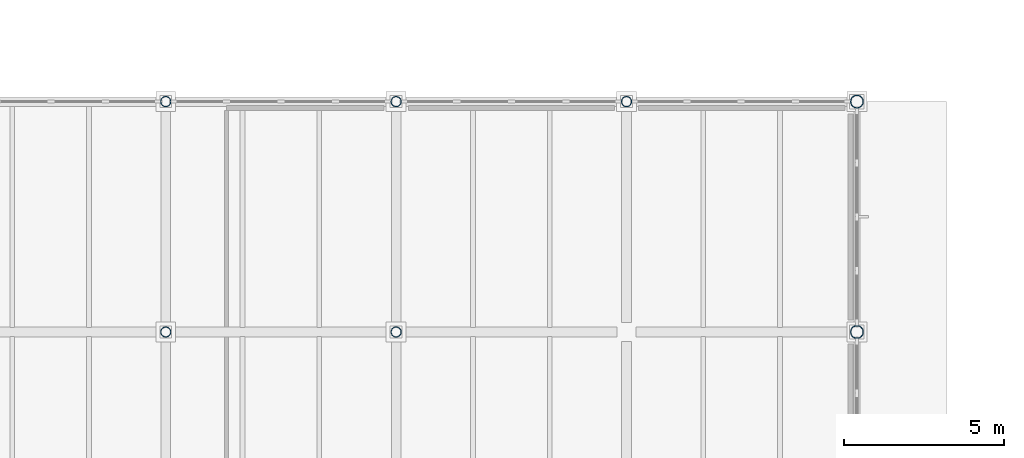
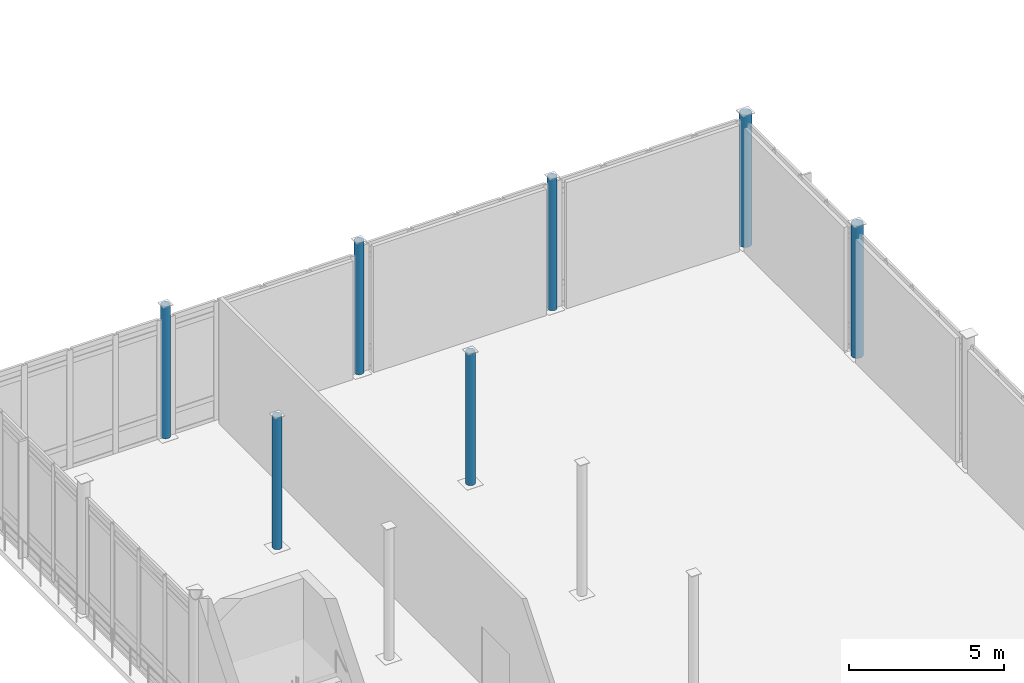
# One storey, part 10 of 89: 7 columns.
"""IFC4 building model written with IfcOpenShell, lengths in metres."""

from ifc_helpers import new_model, si_unit, direction, frame, origin, origin_2d, place, context, subcontext, project, spatial, hollow_circle, extrude, material, material_profile, profile_set, type_object, element, save


model = new_model("IFC4")

# Units and contexts
model_context = context("Model", 3, precision=1e-05, world=origin(), true_north=direction((0.0, 1.0)))
body_context = subcontext(model_context, "Body", "Model", "MODEL_VIEW")
ifc_project = project(units=[si_unit("LENGTHUNIT", "METRE"), si_unit("AREAUNIT", "SQUARE_METRE"), si_unit("VOLUMEUNIT", "CUBIC_METRE"), si_unit("PLANEANGLEUNIT", "RADIAN"), si_unit("MASSUNIT", "GRAM", prefix="KILO")], contexts=[model_context])

# Site, building, storey
site_placement = place(None, origin())
site = spatial("IfcSite", under=ifc_project, at=site_placement, CompositionType="ELEMENT")
building_placement = place(site_placement, origin())
building = spatial("IfcBuilding", under=site, at=building_placement, Name="Zarrinpeak Specialist Clinic", CompositionType="ELEMENT")
storey_placement = place(building_placement, origin())
storey = spatial("IfcBuildingStorey", under=building, at=storey_placement, Name="L00", CompositionType="ELEMENT", Elevation=0.0)

# Columns
ifc_material = material(Name="Steel S355", Category="steel")
ifc_material_profile_1 = material_profile(ifc_material, hollow_circle(Radius=0.161865234375, WallThickness=0.012451171875, at=origin_2d()), Name="CHS 323.9x12.5")
ifc_profile_set_1 = profile_set([ifc_material_profile_1], Name="Steel S355")
column_type_1 = type_object("IfcColumnType", Name="COL-CHS324", PredefinedType="COLUMN", material=ifc_profile_set_1)
for number, where, z_axis, x_axis, name in (
    (1, (100.800048828125, 64.800048828125, 0.0), (0.0, 0.0, 1.0), (1.0, 0.0, 0.0), "L00 Structural Column COL-L00-148"),
    (2, (100.800048828125, 72.0, 0.0), (0.0, 0.0, 1.0), (1.0, 0.0, 0.0), "L00 Structural Column COL-L00-149"),
    (3, (108.0, 64.800048828125, 0.0), (0.0, 0.0, 1.0), (1.0, 0.0, 0.0), "L00 Structural Column COL-L00-155"),
    (4, (108.0, 72.0, 0.0), (0.0, 0.0, 1.0), (1.0, 0.0, 0.0), "L00 Structural Column COL-L00-156"),
    (5, (115.199951171875, 72.0, 0.0), (0.0, 0.0, 1.0), (1.0, 0.0, 0.0), "L00 Structural Column COL-L00-158"),
):
    element("IfcColumn", number, at=place(storey_placement, frame(where, z_axis=z_axis, x_axis=x_axis)), inside=storey, type_object=column_type_1, Name=name, PredefinedType="COLUMN", context=body_context, shape_type="SweptSolid", body=[
        extrude(hollow_circle(Radius=0.161865234375, WallThickness=0.012451171875, at=origin_2d()), origin(), (0.0, 0.0, 1.0), 5.199951171875),
    ])
ifc_material_profile_2 = material_profile(ifc_material, hollow_circle(Radius=0.203125, WallThickness=0.01611328125, at=origin_2d()), Name="CHS 406.4x16.0")
ifc_profile_set_2 = profile_set([ifc_material_profile_2], Name="Steel S355")
column_type_2 = type_object("IfcColumnType", Name="COL-CHS406", PredefinedType="COLUMN", material=ifc_profile_set_2)
for number, where, z_axis, x_axis, name in (
    (6, (122.39990234375, 64.800048828125, 0.0), (0.0, 0.0, 1.0), (1.0, 0.0, 0.0), "L00 Structural Column COL-L00-164"),
    (7, (122.39990234375, 72.0, 0.0), (0.0, 0.0, 1.0), (1.0, 0.0, 0.0), "L00 Structural Column COL-L00-165"),
):
    element("IfcColumn", number, at=place(storey_placement, frame(where, z_axis=z_axis, x_axis=x_axis)), inside=storey, type_object=column_type_2, Name=name, PredefinedType="COLUMN", context=body_context, shape_type="SweptSolid", body=[
        extrude(hollow_circle(Radius=0.203125, WallThickness=0.01611328125, at=origin_2d()), origin(), (0.0, 0.0, 1.0), 5.199951171875),
    ])

save(model, "model.ifc")
